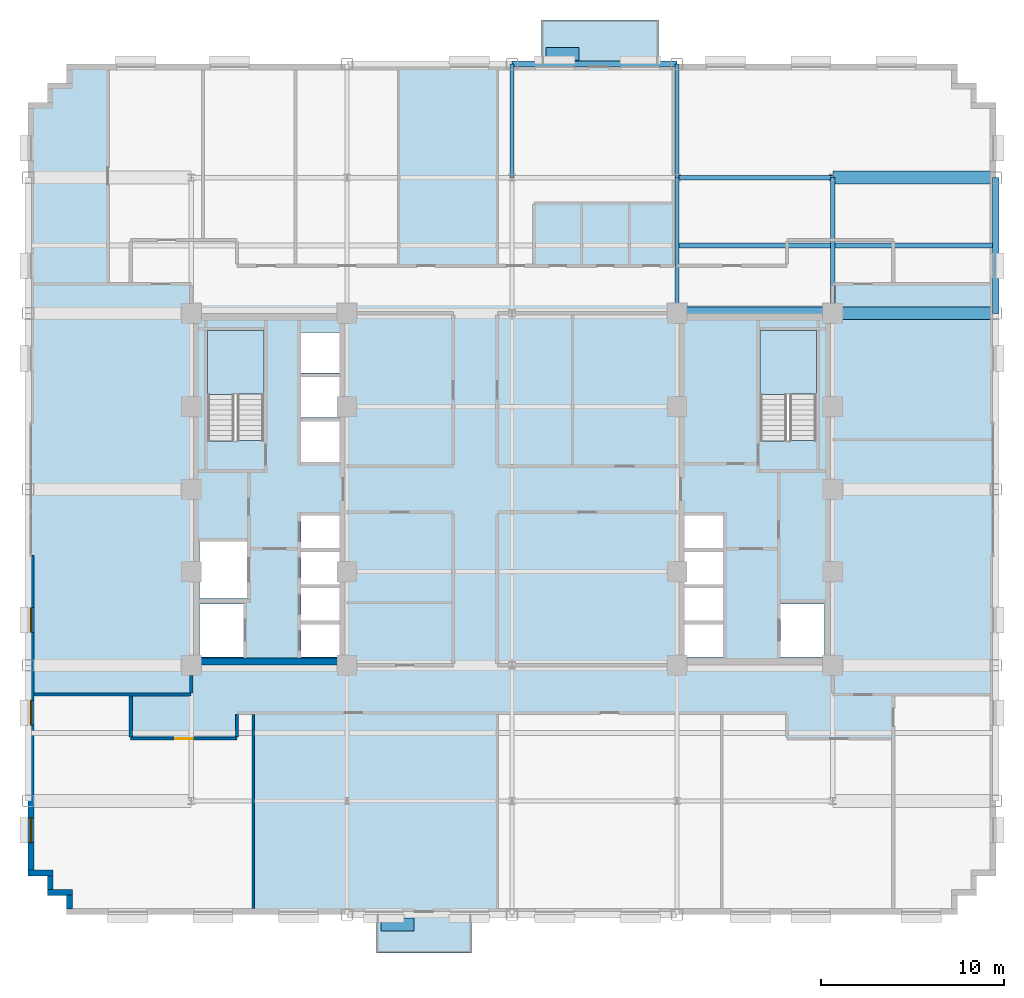
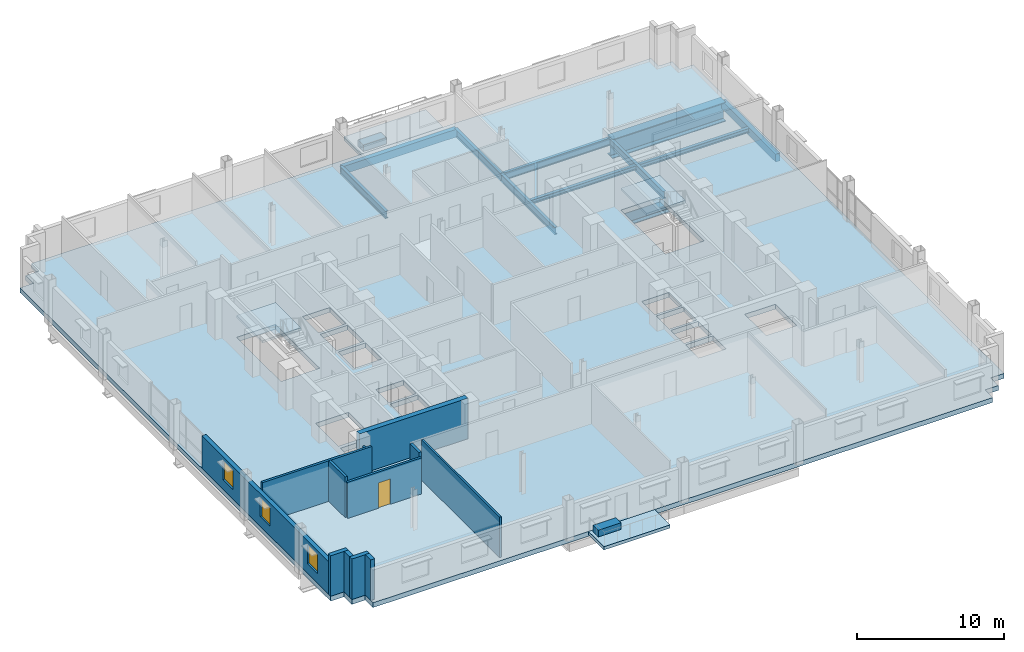
# One storey, part 5 of 16: 12 walls, 11 beams, 5 slabs, 3 windows, 2 plates, 1 door, 4 openings, 2 elements without a shape of their own.
"""IFC4 building model written with IfcOpenShell, lengths in metres."""

from ifc_helpers import new_model, si_unit, direction, frame, frame_2d, origin, origin_2d, place, context, subcontext, project, spatial, polyline, rectangle, i_section, outline, extrude, source, transform, mapped, material, layer, layer_set, material_profile, profile_set, type_object, type_shapes, element, fill, aggregate, save


model = new_model("IFC4")

# Units and contexts
model_context = context("Model", 3, precision=1e-05, world=origin(), true_north=direction((0.0, 1.0)))
body_context = subcontext(model_context, "Body", "Model", "MODEL_VIEW")
ifc_project = project(units=[si_unit("LENGTHUNIT", "METRE"), si_unit("AREAUNIT", "SQUARE_METRE"), si_unit("VOLUMEUNIT", "CUBIC_METRE"), si_unit("PLANEANGLEUNIT", "RADIAN"), si_unit("MASSUNIT", "GRAM", prefix="KILO")], contexts=[model_context])

# Site, building, storey
site_placement = place(None, origin())
site = spatial("IfcSite", under=ifc_project, at=site_placement, CompositionType="ELEMENT")
building_placement = place(site_placement, origin())
building = spatial("IfcBuilding", under=site, at=building_placement, Name="Nuvemarco Arch Tower", CompositionType="ELEMENT")
storey_placement = place(building_placement, frame((0.0, 0.0, 116.550048828125)))
storey = spatial("IfcBuildingStorey", under=building, at=storey_placement, Name="L30", CompositionType="ELEMENT", Elevation=116.550048828125)

# Beams
ifc_material_1 = material(Name="Steel S355", Category="steel")
ifc_material_profile_1 = material_profile(ifc_material_1, i_section(OverallWidth=0.22998046875, OverallDepth=0.616943359375, WebThickness=0.01318359375, FlangeThickness=0.022216796875, FilletRadius=0.01611328125, at=origin_2d()), Name="W610x140")
ifc_profile_set_1 = profile_set([ifc_material_profile_1], Name="Steel S355")
beam_type_1 = type_object("IfcBeamType", Name="BM-GIRD-610", PredefinedType="BEAM", material=ifc_profile_set_1)
beam_1_placement = place(storey_placement, frame((0.0, 17.0, -0.70849609375), z_axis=(0.0, 1.0, 0.0), x_axis=(-1.0, 0.0, 0.0)))
element("IfcBeam", 1, at=beam_1_placement, inside=storey, type_object=beam_type_1, Name="L30 structural beam BGNS_L30_0_+0.0_+17.0", PredefinedType="BEAM", context=body_context, shape_type="SweptSolid", body=[
    extrude(i_section(OverallWidth=0.22998046875, OverallDepth=0.616943359375, WebThickness=0.01318359375, FlangeThickness=0.022216796875, FilletRadius=0.01611328125, at=origin_2d()), origin(), (0.0, 0.0, 1.0), 6.199951171875),
])
beam_2_placement = place(storey_placement, frame((9.0, 9.60009765625, -0.70849609375), z_axis=(0.0, 1.0, 0.0), x_axis=(-1.0, 0.0, 0.0)))
element("IfcBeam", 2, at=beam_2_placement, inside=storey, type_object=beam_type_1, Name="L30 structural beam BGNS_L30_0_+9.0_+9.6", PredefinedType="BEAM", context=body_context, shape_type="SweptSolid", body=[
    extrude(i_section(OverallWidth=0.22998046875, OverallDepth=0.616943359375, WebThickness=0.01318359375, FlangeThickness=0.022216796875, FilletRadius=0.01611328125, at=origin_2d()), origin(), (0.0, 0.0, 1.0), 7.39990234375),
])
beam_3_placement = place(storey_placement, frame((9.0, 17.0, -0.70849609375), z_axis=(0.0, 1.0, 0.0), x_axis=(-1.0, 0.0, 0.0)))
element("IfcBeam", 3, at=beam_3_placement, inside=storey, type_object=beam_type_1, Name="L30 structural beam BGNS_L30_0_+9.0_+17.0", PredefinedType="BEAM", context=body_context, shape_type="SweptSolid", body=[
    extrude(i_section(OverallWidth=0.22998046875, OverallDepth=0.616943359375, WebThickness=0.01318359375, FlangeThickness=0.022216796875, FilletRadius=0.01611328125, at=origin_2d()), origin(), (0.0, 0.0, 1.0), 6.199951171875),
])
beam_4_placement = place(storey_placement, frame((17.5, 9.60009765625, -0.70849609375), z_axis=(0.0, 1.0, 0.0), x_axis=(-1.0, 0.0, 0.0)))
element("IfcBeam", 4, at=beam_4_placement, inside=storey, type_object=beam_type_1, Name="L30 structural beam BGNS_L30_0_+17.5_+9.6", PredefinedType="BEAM", context=body_context, shape_type="SweptSolid", body=[
    extrude(i_section(OverallWidth=0.22998046875, OverallDepth=0.616943359375, WebThickness=0.01318359375, FlangeThickness=0.022216796875, FilletRadius=0.01611328125, at=origin_2d()), origin(), (0.0, 0.0, 1.0), 7.39990234375),
])
beam_5_placement = place(storey_placement, frame((9.0, 17.0, -0.70849609375), z_axis=(1.0, 0.0, 0.0), x_axis=(0.0, 1.0, 0.0)))
element("IfcBeam", 5, at=beam_5_placement, inside=storey, type_object=beam_type_1, Name="L30 structural beam BGEW_L30_0_+17.0_+9.0", PredefinedType="BEAM", context=body_context, shape_type="SweptSolid", body=[
    extrude(i_section(OverallWidth=0.22998046875, OverallDepth=0.616943359375, WebThickness=0.01318359375, FlangeThickness=0.022216796875, FilletRadius=0.01611328125, at=origin_2d()), origin(), (0.0, 0.0, 1.0), 8.5),
])
ifc_material_profile_2 = material_profile(ifc_material_1, i_section(OverallWidth=0.2548828125, OverallDepth=0.35693359375, WebThickness=0.010498046875, FlangeThickness=0.018310546875, FilletRadius=0.014892578125, at=origin_2d()), Name="W360x101")
ifc_profile_set_2 = profile_set([ifc_material_profile_2], Name="Steel S355")
beam_type_2 = type_object("IfcBeamType", Name="BM-JOIST-360H", PredefinedType="JOIST", material=ifc_profile_set_2)
beam_6_placement = place(storey_placement, frame((9.114990234375, 13.300048828125, -0.57861328125), z_axis=(1.0, 0.0, 0.0), x_axis=(0.0, 1.0, 0.0)))
element("IfcBeam", 6, at=beam_6_placement, inside=storey, type_object=beam_type_2, Name="L30 structural beam BJ_L30_0_+13.3_+9.0", PredefinedType="JOIST", context=body_context, shape_type="SweptSolid", body=[
    extrude(i_section(OverallWidth=0.2548828125, OverallDepth=0.35693359375, WebThickness=0.010498046875, FlangeThickness=0.018310546875, FilletRadius=0.014892578125, at=origin_2d()), origin(), (0.0, 0.0, 1.0), 8.27001953125),
])
beam_7_placement = place(storey_placement, frame((17.614990234375, 13.300048828125, -0.57861328125), z_axis=(1.0, 0.0, 0.0), x_axis=(0.0, 1.0, 0.0)))
element("IfcBeam", 7, at=beam_7_placement, inside=storey, type_object=beam_type_2, Name="L30 structural beam BJ_L30_0_+13.3_+17.5", PredefinedType="JOIST", context=body_context, shape_type="SweptSolid", body=[
    extrude(i_section(OverallWidth=0.2548828125, OverallDepth=0.35693359375, WebThickness=0.010498046875, FlangeThickness=0.018310546875, FilletRadius=0.014892578125, at=origin_2d()), origin(), (0.0, 0.0, 1.0), 8.610107421875),
])
ifc_material_2 = material(Name="Precast concrete C45/55", Category="concrete")
ifc_material_profile_3 = material_profile(ifc_material_2, rectangle(XDim=0.35009765625, YDim=0.64990234375, at=origin_2d()), Name="PC-SP-350x650")
ifc_profile_set_3 = profile_set([ifc_material_profile_3], Name="Precast concrete C45/55")
beam_type_3 = type_object("IfcBeamType", Name="BM-SPAN-RC", PredefinedType="SPANDREL", material=ifc_profile_set_3)
beam_8_placement = place(storey_placement, frame((26.39990234375, 9.60009765625, -0.72509765625), z_axis=(0.0, 1.0, 0.0), x_axis=(-1.0, 0.0, 0.0)))
element("IfcBeam", 8, at=beam_8_placement, inside=storey, type_object=beam_type_3, Name="L30 structural beam BGNS_L30_0_+26.4_+9.6", PredefinedType="SPANDREL", context=body_context, shape_type="SweptSolid", body=[
    extrude(rectangle(XDim=0.35009765625, YDim=0.64990234375, at=origin_2d()), origin(), (0.0, 0.0, 1.0), 7.39990234375),
])
beam_9_placement = place(storey_placement, frame((0.0, 23.199951171875, -0.72509765625), z_axis=(1.0, 0.0, 0.0), x_axis=(0.0, 1.0, 0.0)))
element("IfcBeam", 9, at=beam_9_placement, inside=storey, type_object=beam_type_3, Name="L30 structural beam BGEW_L30_0_+23.2_+0.0", PredefinedType="SPANDREL", context=body_context, shape_type="SweptSolid", body=[
    extrude(rectangle(XDim=0.35009765625, YDim=0.64990234375, at=origin_2d()), origin(), (0.0, 0.0, 1.0), 9.0),
])
ifc_material_3 = material(Name="Steel S460", Category="steel")
ifc_material_profile_4 = material_profile(ifc_material_3, i_section(OverallWidth=0.699951171875, OverallDepth=1.60009765625, WebThickness=0.035888671875, FlangeThickness=0.06494140625, FilletRadius=0.02392578125, at=origin_2d()), Name="PG1600x700")
ifc_profile_set_4 = profile_set([ifc_material_profile_4], Name="Steel S460")
beam_type_4 = type_object("IfcBeamType", Name="BM-TG-CANT3", PredefinedType="BEAM", material=ifc_profile_set_4)
beam_10_placement = place(storey_placement, frame((9.0, 9.60009765625, -1.199951171875), z_axis=(1.0, 0.0, 0.0), x_axis=(0.0, 1.0, 0.0)))
element("IfcBeam", 10, at=beam_10_placement, inside=storey, type_object=beam_type_4, Name="L30 structural beam TG_L30_E_+9.6", PredefinedType="BEAM", context=body_context, shape_type="SweptSolid", body=[
    extrude(i_section(OverallWidth=0.699951171875, OverallDepth=1.60009765625, WebThickness=0.035888671875, FlangeThickness=0.06494140625, FilletRadius=0.02392578125, at=origin_2d()), origin(), (0.0, 0.0, 1.0), 17.39990234375),
])
beam_11_placement = place(storey_placement, frame((17.5, 17.0, -1.199951171875), z_axis=(1.0, 0.0, 0.0), x_axis=(0.0, 1.0, 0.0)))
element("IfcBeam", 11, at=beam_11_placement, inside=storey, type_object=beam_type_4, Name="L30 structural beam TG_L30_E_+17.0", PredefinedType="BEAM", context=body_context, shape_type="SweptSolid", body=[
    extrude(i_section(OverallWidth=0.699951171875, OverallDepth=1.60009765625, WebThickness=0.035888671875, FlangeThickness=0.06494140625, FilletRadius=0.02392578125, at=origin_2d()), origin(), (0.0, 0.0, 1.0), 8.89990234375),
])

# Slab
ifc_material_4 = material(Name="Concrete C60/75", Category="concrete")
ifc_layer_1 = layer(ifc_material_4, 0.39990234375, Name="SL-FLR-400")
ifc_layer_set_1 = layer_set([ifc_layer_1], Name="Concrete C60/75")
slab_type_1 = type_object("IfcSlabType", Name="SL-FLR-400", PredefinedType="FLOOR", material=ifc_layer_set_1)
slab_1_placement = place(storey_placement, frame((0.0, 0.0, -0.400146484375)))
element("IfcSlab", 12, at=slab_1_placement, inside=storey, type_object=slab_type_1, Name="L30 structural floor slab", PredefinedType="FLOOR", context=body_context, shape_type="SweptSolid", body=[
    extrude(outline(polyline([(-24.300048828125, -23.199951171875), (24.300048828125, -23.199951171875), (24.300048828125, -22.14990234375), (25.35009765625, -22.14990234375), (25.35009765625, -21.10009765625), (26.39990234375, -21.10009765625), (26.39990234375, 21.10009765625), (25.35009765625, 21.10009765625), (25.35009765625, 22.14990234375), (24.300048828125, 22.14990234375), (24.300048828125, 23.199951171875), (-24.300048828125, 23.199951171875), (-24.300048828125, 22.14990234375), (-25.35009765625, 22.14990234375), (-25.35009765625, 21.10009765625), (-26.39990234375, 21.10009765625), (-26.39990234375, -21.10009765625), (-25.35009765625, -21.10009765625), (-25.35009765625, -22.14990234375), (-24.300048828125, -22.14990234375), (-24.300048828125, -23.199951171875)]), holes=[polyline([(-13.5400390625, 2.669921875), (-13.5400390625, 8.64990234375), (-16.60009765625, 8.64990234375), (-16.60009765625, 2.630615234375), (-15.070068359375, 2.630615234375), (-15.070068359375, 2.669921875), (-13.5400390625, 2.669921875)]), polyline([(16.60009765625, 2.669921875), (16.60009765625, 8.64990234375), (13.5400390625, 8.64990234375), (13.5400390625, 2.630615234375), (15.070068359375, 2.630615234375), (15.070068359375, 2.669921875), (16.60009765625, 2.669921875)]), polyline([(-17.050048828125, -9.14990234375), (-14.64990234375, -9.14990234375), (-14.64990234375, -6.25), (-17.050048828125, -6.25), (-17.050048828125, -9.14990234375)]), polyline([(-17.050048828125, -5.949951171875), (-14.449951171875, -5.949951171875), (-14.449951171875, -2.85009765625), (-17.050048828125, -2.85009765625), (-17.050048828125, -5.949951171875)]), polyline([(-11.5, -9.14990234375), (-9.35009765625, -9.14990234375), (-9.35009765625, -7.3701171875), (-11.5, -7.3701171875), (-11.5, -9.14990234375)]), polyline([(-11.5, -7.169921875), (-9.35009765625, -7.169921875), (-9.35009765625, -5.389892578125), (-11.5, -5.389892578125), (-11.5, -7.169921875)]), polyline([(-11.5, -5.18994140625), (-9.35009765625, -5.18994140625), (-9.35009765625, -3.409912109375), (-11.5, -3.409912109375), (-11.5, -5.18994140625)]), polyline([(-11.5, -3.2099609375), (-9.35009765625, -3.2099609375), (-9.35009765625, -1.429931640625), (-11.5, -1.429931640625), (-11.5, -3.2099609375)]), polyline([(-11.5, 1.5), (-9.35009765625, 1.5), (-9.35009765625, 3.699951171875), (-11.5, 3.699951171875), (-11.5, 1.5)]), polyline([(-11.5, 3.919921875), (-9.35009765625, 3.919921875), (-9.35009765625, 6.1201171875), (-11.5, 6.1201171875), (-11.5, 3.919921875)]), polyline([(-11.5, 6.340087890625), (-9.35009765625, 6.340087890625), (-9.35009765625, 8.5400390625), (-11.5, 8.5400390625), (-11.5, 6.340087890625)]), polyline([(14.64990234375, -9.14990234375), (17.050048828125, -9.14990234375), (17.050048828125, -6.25), (14.64990234375, -6.25), (14.64990234375, -9.14990234375)]), polyline([(9.35009765625, -9.14990234375), (11.5, -9.14990234375), (11.5, -7.3701171875), (9.35009765625, -7.3701171875), (9.35009765625, -9.14990234375)]), polyline([(9.35009765625, -7.169921875), (11.5, -7.169921875), (11.5, -5.389892578125), (9.35009765625, -5.389892578125), (9.35009765625, -7.169921875)]), polyline([(9.35009765625, -5.18994140625), (11.5, -5.18994140625), (11.5, -3.409912109375), (9.35009765625, -3.409912109375), (9.35009765625, -5.18994140625)]), polyline([(9.35009765625, -3.2099609375), (11.5, -3.2099609375), (11.5, -1.429931640625), (9.35009765625, -1.429931640625), (9.35009765625, -3.2099609375)])]), origin(), (0.0, 0.0, 1.0), 0.400146484375),
])

# Stair, slab
stair_type = type_object("IfcStairType", Name="ST-CORE-20R", PredefinedType="HALF_TURN_STAIR", material=ifc_material_2)
stair_1_placement = place(storey_placement, origin())
stair_1 = element("IfcStair", 13, at=stair_1_placement, inside=storey, type_object=stair_type, Name="L30 Protected Exit Stair ST-1", PredefinedType="HALF_TURN_STAIR")
ifc_layer_2 = layer(ifc_material_2, 0.199951171875, Name="SL-LANDING-200")
ifc_layer_set_2 = layer_set([ifc_layer_2], Name="Precast concrete C45/55")
slab_type_2 = type_object("IfcSlabType", Name="SL-LANDING-200", PredefinedType="LANDING", material=ifc_layer_set_2)
slab_2_placement = place(storey_placement, frame((0.0, 0.0, 1.625)))
slab_2 = element("IfcSlab", 14, at=slab_2_placement, type_object=slab_type_2, Name="ST-20R landing 1", PredefinedType="LANDING", context=body_context, shape_type="SweptSolid", body=[
    extrude(outline(polyline([(-13.5400390625, 5.189453125), (-13.5400390625, 8.64990234375), (-16.60009765625, 8.64990234375), (-16.60009765625, 5.169921875), (-15.070068359375, 5.169921875), (-15.070068359375, 5.189453125), (-13.5400390625, 5.189453125)])), origin(), (0.0, 0.0, 1.0), 0.199951171875),
])
aggregate(stair_1, [slab_2])

stair_2_placement = place(storey_placement, origin())
stair_2 = element("IfcStair", 15, at=stair_2_placement, inside=storey, type_object=stair_type, Name="L30 Protected Exit Stair ST-2", PredefinedType="HALF_TURN_STAIR")
slab_3_placement = place(storey_placement, frame((0.0, 0.0, 1.625)))
slab_3 = element("IfcSlab", 16, at=slab_3_placement, type_object=slab_type_2, Name="ST-20R landing 1", PredefinedType="LANDING", context=body_context, shape_type="SweptSolid", body=[
    extrude(outline(polyline([(16.60009765625, 5.189453125), (16.60009765625, 8.64990234375), (13.5400390625, 8.64990234375), (13.5400390625, 5.169921875), (15.070068359375, 5.169921875), (15.070068359375, 5.189453125), (16.60009765625, 5.189453125)])), origin(), (0.0, 0.0, 1.0), 0.199951171875),
])
aggregate(stair_2, [slab_3])

# Slabs
ifc_material_5 = material(Name="Concrete C50/60", Category="concrete")
ifc_layer_3 = layer(ifc_material_5, 0.264892578125, Name="SL-TB1")
ifc_layer_set_3 = layer_set([ifc_layer_3], Name="Concrete C50/60")
slab_type_3 = type_object("IfcSlabType", Name="SL-TB1", PredefinedType="FLOOR", material=ifc_layer_set_3)
slab_4_placement = place(storey_placement, frame((0.0, 0.0, -0.26513671875)))
element("IfcSlab", 17, at=slab_4_placement, inside=storey, type_object=slab_type_3, Name="L30 outdoor tree balcony slab 2", PredefinedType="FLOOR", context=body_context, shape_type="SweptSolid", body=[
    extrude(outline(polyline([(-7.39990234375, -25.300048828125), (-2.199951171875, -25.300048828125), (-2.199951171875, -23.199951171875), (-7.39990234375, -23.199951171875), (-7.39990234375, -25.300048828125)])), origin(), (0.0, 0.0, 1.0), 0.26513671875),
])
ifc_layer_4 = layer(ifc_material_5, 0.294921875, Name="SL-TR4")
ifc_layer_set_4 = layer_set([ifc_layer_4], Name="Concrete C50/60")
slab_type_4 = type_object("IfcSlabType", Name="SL-TR4", PredefinedType="FLOOR", material=ifc_layer_set_4)
slab_5_placement = place(storey_placement, frame((0.0, 0.0, -0.295166015625)))
element("IfcSlab", 18, at=slab_5_placement, inside=storey, type_object=slab_type_4, Name="L30 outdoor spiral terrace slab 1", PredefinedType="FLOOR", context=body_context, shape_type="SweptSolid", body=[
    extrude(outline(polyline([(1.60009765625, 23.199951171875), (8.0, 23.199951171875), (8.0, 25.60009765625), (1.60009765625, 25.60009765625), (1.60009765625, 23.199951171875)])), origin(), (0.0, 0.0, 1.0), 0.295166015625),
])

# Plates
ifc_layer_5 = layer(ifc_material_2, 0.550048828125, Name="Tree Balcony Structural Planter")
ifc_layer_set_5 = layer_set([ifc_layer_5], Name="Precast concrete C45/55")
plate_type = type_object("IfcPlateType", Name="Tree Balcony Structural Planter", PredefinedType="USERDEFINED", material=ifc_layer_set_5)
shared_shape_1 = source(origin(), body_context, "Body", "SweptSolid", [
    extrude(rectangle(XDim=1.800048828125, YDim=0.699951171875, at=origin_2d()), origin(), (0.0, 0.0, 1.0), 0.550048828125),
])
type_shapes(plate_type, [shared_shape_1])
for number, where, z_axis, x_axis, name in (
    (19, (2.75, 23.75, 0.0), (0.0, 0.0, 1.0), (1.0, 0.0, 0.0), "L30 Tree Balcony Structural Planter"),
    (20, (-6.25, -23.75, 0.0), (0.0, 0.0, 1.0), (1.0, 0.0, 0.0), "L30 Tree Balcony Structural Planter"),
):
    element("IfcPlate", number, at=place(storey_placement, frame(where, z_axis=z_axis, x_axis=x_axis)), inside=storey, type_object=plate_type, Name=name, ObjectType="PLANTER", PredefinedType="USERDEFINED", context=body_context, shape_type="MappedRepresentation", body=[
        mapped(shared_shape_1, transform((0.0, 0.0, 0.0), scale=1.0)),
    ])

# Wall, openings, windows
ifc_layer_6 = layer(ifc_material_2, 0.320068359375, Name="EW-MID-320")
ifc_layer_set_6 = layer_set([ifc_layer_6], Name="Precast concrete C45/55")
wall_type_1 = type_object("IfcWallType", Name="EW-MID-320", PredefinedType="STANDARD", material=ifc_layer_set_6)
wall_1_placement = place(storey_placement, frame((-26.239990234375, -20.783935546875, 0.0), z_axis=(0.0, 0.0, 1.0), x_axis=(0.0, 1.0, 0.0)))
wall_1 = element("IfcWall", 21, at=wall_1_placement, inside=storey, type_object=wall_type_1, Name="L30 exterior precast pier wall west left", PredefinedType="STANDARD", context=body_context, shape_type="SweptSolid", body=[
    extrude(rectangle(XDim=17.183837890625, YDim=0.320068359375, at=frame_2d((8.591796875, 0.0))), origin(), (0.0, 0.0, 1.0), 2.704833984375),
])
opening_1_placement = place(wall_1_placement, frame((1.505615234375, 0.0, 0.800048828125)))
opening_1 = element("IfcOpeningElement", 22, at=opening_1_placement, cuts=wall_1, Name="Opening WN-6", PredefinedType="OPENING", context=body_context, shape_type="SweptSolid", body=[
    extrude(rectangle(XDim=1.35009765625, YDim=1.56005859375, at=frame_2d((0.675048828125, 0.780029296875))), frame((0.0, 0.169921875, 0.0), z_axis=(0.0, -1.0, 0.0), x_axis=(1.0, 0.0, 0.0)), (0.0, 0.0, 1.0), 0.340087890625),
])
opening_2_placement = place(wall_1_placement, frame((7.9169921875, 0.0, 0.800048828125)))
opening_2 = element("IfcOpeningElement", 23, at=opening_2_placement, cuts=wall_1, Name="Opening WN-6", PredefinedType="OPENING", context=body_context, shape_type="SweptSolid", body=[
    extrude(rectangle(XDim=1.35009765625, YDim=1.56005859375, at=frame_2d((0.675048828125, 0.780029296875))), frame((0.0, 0.169921875, 0.0), z_axis=(0.0, -1.0, 0.0), x_axis=(1.0, 0.0, 0.0)), (0.0, 0.0, 1.0), 0.340087890625),
])
opening_3_placement = place(wall_1_placement, frame((12.978271484375, 0.0, 0.800048828125)))
opening_3 = element("IfcOpeningElement", 24, at=opening_3_placement, cuts=wall_1, Name="Opening WN-6", PredefinedType="OPENING", context=body_context, shape_type="SweptSolid", body=[
    extrude(rectangle(XDim=1.35009765625, YDim=1.56005859375, at=frame_2d((0.675048828125, 0.780029296875))), frame((0.0, 0.169921875, 0.0), z_axis=(0.0, -1.0, 0.0), x_axis=(1.0, 0.0, 0.0)), (0.0, 0.0, 1.0), 0.340087890625),
])
ifc_material_6 = material(Name="Insulated solar-control glass", Category="glass")
window_type = type_object("IfcWindowType", Name="WN-MID-1350x1560", PartitioningType="SINGLE_PANEL", PredefinedType="WINDOW", material=ifc_material_6)
shared_shape_2 = source(origin(), body_context, "Body", "SweptSolid", [
    extrude(rectangle(XDim=1.35009765625, YDim=1.56005859375, at=frame_2d((0.675048828125, 0.780029296875))), frame((0.0, 0.030029296875, 0.0), z_axis=(0.0, -1.0, 0.0), x_axis=(1.0, 0.0, 0.0)), (0.0, 0.0, 1.0), 0.06005859375),
])
type_shapes(window_type, [shared_shape_2])
window_1_placement = place(opening_1_placement, origin())
window_1 = element("IfcWindow", 25, at=window_1_placement, inside=storey, type_object=window_type, Name="L30 punched facade window 1", OverallHeight=1.56005859375, OverallWidth=1.35009765625, PartitioningType="SINGLE_PANEL", PredefinedType="WINDOW", context=body_context, shape_type="MappedRepresentation", body=[
    mapped(shared_shape_2, transform((0.0, 0.0, 0.0), scale=1.0)),
])
fill(opening_1, window_1)
window_2_placement = place(opening_2_placement, origin())
window_2 = element("IfcWindow", 26, at=window_2_placement, inside=storey, type_object=window_type, Name="L30 punched facade window 2", OverallHeight=1.56005859375, OverallWidth=1.35009765625, PartitioningType="SINGLE_PANEL", PredefinedType="WINDOW", context=body_context, shape_type="MappedRepresentation", body=[
    mapped(shared_shape_2, transform((0.0, 0.0, 0.0), scale=1.0)),
])
fill(opening_2, window_2)
window_3_placement = place(opening_3_placement, origin())
window_3 = element("IfcWindow", 27, at=window_3_placement, inside=storey, type_object=window_type, Name="L30 punched facade window 3", OverallHeight=1.56005859375, OverallWidth=1.35009765625, PartitioningType="SINGLE_PANEL", PredefinedType="WINDOW", context=body_context, shape_type="MappedRepresentation", body=[
    mapped(shared_shape_2, transform((0.0, 0.0, 0.0), scale=1.0)),
])
fill(opening_3, window_3)

# Walls
wall_2_placement = place(storey_placement, frame((-26.39990234375, -20.93994140625, 0.0), z_axis=(0.0, 0.0, 1.0), x_axis=(1.0, 0.0, 0.0)))
element("IfcWall", 28, at=wall_2_placement, inside=storey, type_object=wall_type_1, Name="L30 exterior precast facade wall 17", PredefinedType="STANDARD", context=body_context, shape_type="SweptSolid", body=[
    extrude(rectangle(XDim=1.369873046875, YDim=0.320068359375, at=frame_2d((0.68505859375, 0.0))), origin(), (0.0, 0.0, 1.0), 3.35986328125),
])
wall_3_placement = place(storey_placement, frame((-25.18994140625, -21.833984375, 0.0), z_axis=(0.0, 0.0, 1.0), x_axis=(0.0, 1.0, 0.0)))
element("IfcWall", 29, at=wall_3_placement, inside=storey, type_object=wall_type_1, Name="L30 exterior precast facade wall 18", PredefinedType="STANDARD", context=body_context, shape_type="SweptSolid", body=[
    extrude(rectangle(XDim=0.738037109375, YDim=0.320068359375, at=frame_2d((0.369140625, 0.0))), origin(), (0.0, 0.0, 1.0), 3.35986328125),
])
wall_4_placement = place(storey_placement, frame((-25.35009765625, -21.989990234375, 0.0), z_axis=(0.0, 0.0, 1.0), x_axis=(1.0, 0.0, 0.0)))
element("IfcWall", 30, at=wall_4_placement, inside=storey, type_object=wall_type_1, Name="L30 exterior precast facade wall 19", PredefinedType="STANDARD", context=body_context, shape_type="SweptSolid", body=[
    extrude(rectangle(XDim=1.3701171875, YDim=0.320068359375, at=frame_2d((0.68505859375, 0.0))), origin(), (0.0, 0.0, 1.0), 3.35986328125),
])
wall_5_placement = place(storey_placement, frame((-24.139892578125, -22.884033203125, 0.0), z_axis=(0.0, 0.0, 1.0), x_axis=(0.0, 1.0, 0.0)))
element("IfcWall", 31, at=wall_5_placement, inside=storey, type_object=wall_type_1, Name="L30 exterior precast facade wall 20", PredefinedType="STANDARD", context=body_context, shape_type="SweptSolid", body=[
    extrude(rectangle(XDim=0.738037109375, YDim=0.320068359375, at=frame_2d((0.369140625, 0.0))), origin(), (0.0, 0.0, 1.0), 3.35986328125),
])
ifc_layer_7 = layer(ifc_material_4, 0.39990234375, Name="WL-CORE-400")
ifc_layer_set_7 = layer_set([ifc_layer_7], Name="Concrete C60/75")
wall_type_2 = type_object("IfcWallType", Name="WL-CORE-400", PredefinedType="SHEAR", material=ifc_layer_set_7)
wall_6_placement = place(storey_placement, frame((-17.5, -9.39990234375, 0.0), z_axis=(0.0, 0.0, 1.0), x_axis=(1.0, 0.0, 0.0)))
element("IfcWall", 32, at=wall_6_placement, inside=storey, type_object=wall_type_2, Name="L30 W-core shear wall S", PredefinedType="SHEAR", context=body_context, shape_type="SweptSolid", body=[
    extrude(rectangle(XDim=8.5, YDim=0.39990234375, at=frame_2d((4.25, 0.0))), origin(), (0.0, 0.0, 1.0), 3.369873046875),
])

# Wall, opening, door
ifc_material_7 = material(Name="Fire-rated gypsum drywall partition")
ifc_layer_8 = layer(ifc_material_7, 0.179931640625, Name="WL-CORR-180")
ifc_layer_set_8 = layer_set([ifc_layer_8], Name="Fire-rated gypsum drywall partition")
wall_type_3 = type_object("IfcWallType", Name="WL-CORR-180", PredefinedType="PARTITIONING", material=ifc_layer_set_8)
wall_7_placement = place(storey_placement, frame((-20.800048828125, -13.60009765625, 0.0), z_axis=(0.0, 0.0, 1.0), x_axis=(1.0, 0.0, 0.0)))
wall_7 = element("IfcWall", 33, at=wall_7_placement, inside=storey, type_object=wall_type_3, Name="L30 interior wall IW-L30-001", PredefinedType="PARTITIONING", context=body_context, shape_type="SweptSolid", body=[
    extrude(rectangle(XDim=5.800048828125, YDim=0.179931640625, at=frame_2d((2.89990234375, 0.0))), origin(), (0.0, 0.0, 1.0), 2.998046875),
])
opening_4_placement = place(wall_7_placement, frame((2.419921875, 0.0, 0.0)))
opening_4 = element("IfcOpeningElement", 34, at=opening_4_placement, cuts=wall_7, Name="Opening FD-5", PredefinedType="OPENING", context=body_context, shape_type="SweptSolid", body=[
    extrude(rectangle(XDim=0.9599609375, YDim=2.10009765625, at=frame_2d((0.47998046875, 1.050048828125))), frame((0.0, 0.099853515625, 0.0), z_axis=(0.0, -1.0, 0.0), x_axis=(1.0, 0.0, 0.0)), (0.0, 0.0, 1.0), 0.199951171875),
])
ifc_material_8 = material(Name="Timber fire door", Category="wood")
door_type = type_object("IfcDoorType", Name="DR-CORR-FD", OperationType="NOTDEFINED", PredefinedType="DOOR", material=ifc_material_8)
shared_shape_3 = source(origin(), body_context, "Body", "SweptSolid", [
    extrude(rectangle(XDim=0.9599609375, YDim=2.10009765625, at=frame_2d((0.47998046875, 1.050048828125))), frame((0.0, 0.02490234375, 0.0), z_axis=(0.0, -1.0, 0.0), x_axis=(1.0, 0.0, 0.0)), (0.0, 0.0, 1.0), 0.050048828125),
])
type_shapes(door_type, [shared_shape_3])
door_placement = place(opening_4_placement, origin())
door = element("IfcDoor", 35, at=door_placement, inside=storey, type_object=door_type, Name="L30 door DR-L30-S_1", OperationType="SINGLE_SWING_LEFT", OverallHeight=2.10009765625, OverallWidth=0.9599609375, PredefinedType="DOOR", context=body_context, shape_type="MappedRepresentation", body=[
    mapped(shared_shape_3, transform((0.0, 0.0, 0.0), scale=1.0)),
])
fill(opening_4, door)

# Walls
wall_8_placement = place(storey_placement, frame((-26.080078125, -11.199951171875, 0.0), z_axis=(0.0, 0.0, 1.0), x_axis=(1.0, 0.0, 0.0)))
element("IfcWall", 36, at=wall_8_placement, inside=storey, type_object=wall_type_3, Name="L30 interior wall IW-L30-004", PredefinedType="PARTITIONING", context=body_context, shape_type="SweptSolid", body=[
    extrude(rectangle(XDim=8.580078125, YDim=0.179931640625, at=frame_2d((4.2900390625, 0.0))), origin(), (0.0, 0.0, 1.0), 3.35986328125),
])
wall_9_placement = place(storey_placement, frame((-20.800048828125, -13.513916015625, 0.0), z_axis=(0.0, 0.0, 1.0), x_axis=(0.0, 1.0, 0.0)))
element("IfcWall", 37, at=wall_9_placement, inside=storey, type_object=wall_type_3, Name="L30 interior wall IW-L30-026", PredefinedType="PARTITIONING", context=body_context, shape_type="SweptSolid", body=[
    extrude(rectangle(XDim=2.22802734375, YDim=0.179931640625, at=frame_2d((1.114013671875, 0.0))), origin(), (0.0, 0.0, 1.0), 3.35986328125),
])
wall_10_placement = place(storey_placement, frame((-17.5, -11.114013671875, 0.0), z_axis=(0.0, 0.0, 1.0), x_axis=(0.0, 1.0, 0.0)))
element("IfcWall", 38, at=wall_10_placement, inside=storey, type_object=wall_type_3, Name="L30 interior wall IW-L30-028", PredefinedType="PARTITIONING", context=body_context, shape_type="SweptSolid", body=[
    extrude(rectangle(XDim=0.968017578125, YDim=0.179931640625, at=frame_2d((0.48388671875, 0.0))), origin(), (0.0, 0.0, 1.0), 2.738037109375),
])
wall_11_placement = place(storey_placement, frame((-15.0, -13.513916015625, 0.0), z_axis=(0.0, 0.0, 1.0), x_axis=(0.0, 1.0, 0.0)))
element("IfcWall", 39, at=wall_11_placement, inside=storey, type_object=wall_type_3, Name="L30 interior wall IW-L30-031", PredefinedType="PARTITIONING", context=body_context, shape_type="SweptSolid", body=[
    extrude(rectangle(XDim=1.22802734375, YDim=0.179931640625, at=frame_2d((0.614013671875, 0.0))), origin(), (0.0, 0.0, 1.0), 3.35986328125),
])
ifc_material_9 = material(Name="Gypsum plasterboard partition")
ifc_layer_9 = layer(ifc_material_9, 0.139892578125, Name="WL-ROOM-140")
ifc_layer_set_9 = layer_set([ifc_layer_9], Name="Gypsum plasterboard partition")
wall_type_4 = type_object("IfcWallType", Name="WL-ROOM-140", PredefinedType="PARTITIONING", material=ifc_layer_set_9)
wall_12_placement = place(storey_placement, frame((-14.110107421875, -22.8798828125, 0.0), z_axis=(0.0, 0.0, 1.0), x_axis=(0.0, 1.0, 0.0)))
element("IfcWall", 40, at=wall_12_placement, inside=storey, type_object=wall_type_4, Name="L30 interior wall IW-L30-033", PredefinedType="PARTITIONING", context=body_context, shape_type="SweptSolid", body=[
    extrude(rectangle(XDim=10.593994140625, YDim=0.139892578125, at=frame_2d((5.296875, 0.0))), origin(), (0.0, 0.0, 1.0), 3.35986328125),
])

save(model, "model.ifc")
